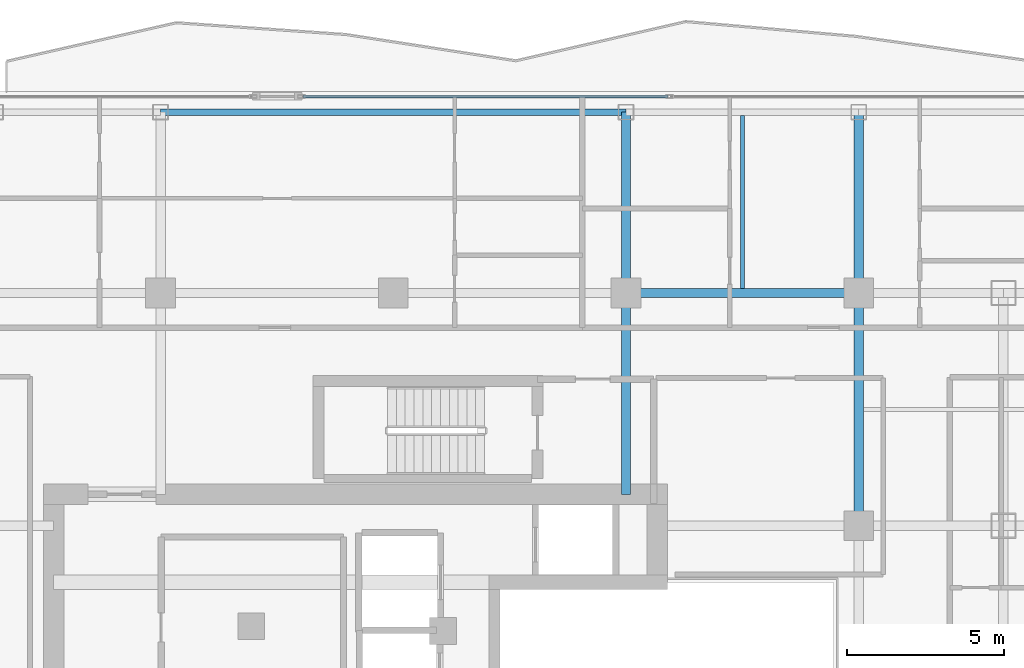
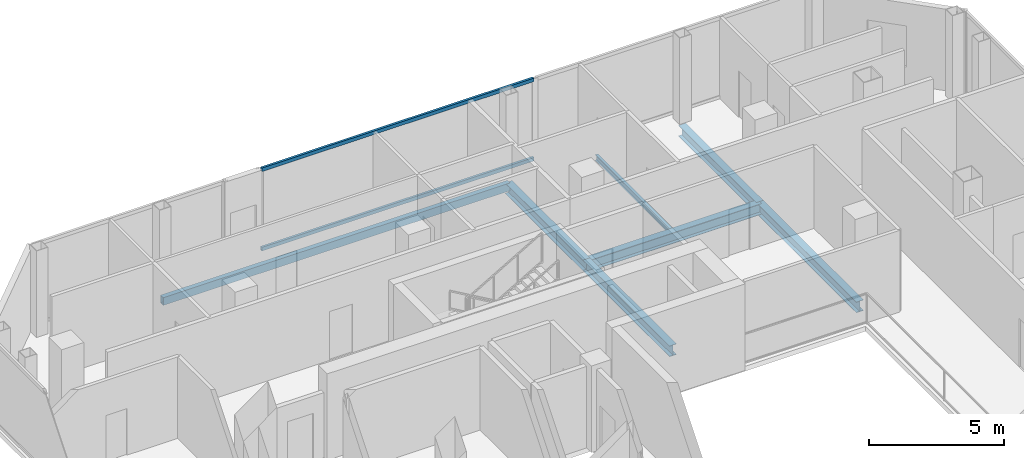
# One storey, part 12 of 22: 7 beams, 2 members, 1 element without a shape of its own.
"""IFC4 building model written with IfcOpenShell, lengths in metres."""

from ifc_helpers import new_model, si_unit, direction, frame, origin, origin_2d, place, context, subcontext, project, spatial, hollow_rectangle, i_section, extrude, material, layer, layer_set, material_profile, profile_set, type_object, element, aggregate, save


model = new_model("IFC4")

# Units and contexts
model_context = context("Model", 3, precision=1e-05, world=origin(), true_north=direction((0.0, 1.0)))
body_context = subcontext(model_context, "Body", "Model", "MODEL_VIEW")
ifc_project = project(units=[si_unit("LENGTHUNIT", "METRE"), si_unit("AREAUNIT", "SQUARE_METRE"), si_unit("VOLUMEUNIT", "CUBIC_METRE"), si_unit("PLANEANGLEUNIT", "RADIAN"), si_unit("MASSUNIT", "GRAM", prefix="KILO")], contexts=[model_context])

# Site, building, storey
site_placement = place(None, origin())
site = spatial("IfcSite", under=ifc_project, at=site_placement, CompositionType="ELEMENT")
building_placement = place(site_placement, origin())
building = spatial("IfcBuilding", under=site, at=building_placement, Name="Khorvyn Point Tower", CompositionType="ELEMENT")
storey_placement = place(building_placement, frame((0.0, 0.0, 278.10009765625)))
storey = spatial("IfcBuildingStorey", under=building, at=storey_placement, Name="L68", CompositionType="ELEMENT", Elevation=278.10009765625)

# Curtain wall, members
ifc_material_1 = material(Name="Anodised aluminium 6063-T6 and laminated Low-E glass", Category="aluminium")
ifc_layer = layer(ifc_material_1, 0.18994140625)
ifc_layer_set = layer_set([ifc_layer], Name="Stick-Built High-Wind Curtain Wall CW-SYS-04")
curtain_wall_type = type_object("IfcCurtainWallType", Name="Stick-Built High-Wind Curtain Wall CW-SYS-04", PredefinedType="NOTDEFINED", material=ifc_layer_set)
curtain_wall_placement = place(storey_placement, origin())
curtain_wall = element("IfcCurtainWall", 1, at=curtain_wall_placement, inside=storey, type_object=curtain_wall_type, Name="Curtain Wall", PredefinedType="NOTDEFINED")
ifc_material_2 = material(Name="Anodised aluminium 6063-T6", Category="aluminium")
ifc_material_profile_1 = material_profile(ifc_material_2, hollow_rectangle(XDim=0.10009765625, YDim=0.159912109375, WallThickness=0.00439453125, at=origin_2d()))
ifc_profile_set_1 = profile_set([ifc_material_profile_1], Name="Anodised aluminium 6063-T6 ALU-TRN-100x160")
member_type = type_object("IfcMemberType", Name="Anodised Aluminium 6063-T6 Transom ALU-TRN-100x160", PredefinedType="USERDEFINED", material=ifc_profile_set_1)
member_1_placement = place(storey_placement, frame((-2.873046875, 21.050048828125, 0.0498046875), z_axis=(1.0, 0.0, 0.0), x_axis=(0.0, 1.0, 0.0)))
member_1 = element("IfcMember", 2, at=member_1_placement, type_object=member_type, Name="Transom", ObjectType="TRANSOM", PredefinedType="USERDEFINED", context=body_context, shape_type="SweptSolid", body=[
    extrude(hollow_rectangle(XDim=0.10009765625, YDim=0.159912109375, WallThickness=0.00439453125, at=origin_2d()), origin(), (0.0, 0.0, 1.0), 11.611572265625),
])
member_2_placement = place(storey_placement, frame((-2.873046875, 21.050048828125, 3.6298828125), z_axis=(1.0, 0.0, 0.0), x_axis=(0.0, 1.0, 0.0)))
member_2 = element("IfcMember", 3, at=member_2_placement, type_object=member_type, Name="Transom", ObjectType="TRANSOM", PredefinedType="USERDEFINED", context=body_context, shape_type="SweptSolid", body=[
    extrude(hollow_rectangle(XDim=0.10009765625, YDim=0.159912109375, WallThickness=0.00439453125, at=origin_2d()), origin(), (0.0, 0.0, 1.0), 11.611572265625),
])
aggregate(curtain_wall, [member_1, member_2])

# Beams
ifc_material_3 = material(Name="Steel S355", Category="steel")
ifc_material_profile_2 = material_profile(ifc_material_3, i_section(OverallWidth=0.125, OverallDepth=0.25, WebThickness=0.006103515625, FlangeThickness=0.009033203125, at=origin_2d()))
ifc_profile_set_2 = profile_set([ifc_material_profile_2], Name="Steel S355 H250x125x6x9")
beam_type_1 = type_object("IfcBeamType", Name="Steel S355 Joist H250x125x6x9", PredefinedType="JOIST", material=ifc_profile_set_2)
beam_1_placement = place(storey_placement, frame((11.10009765625, 14.949951171875, -0.34521484375), z_axis=(0.0, 1.0, 0.0), x_axis=(-1.0, 0.0, 0.0)))
element("IfcBeam", 4, at=beam_1_placement, inside=storey, type_object=beam_type_1, Name="Beam", PredefinedType="JOIST", context=body_context, shape_type="SweptSolid", body=[
    extrude(i_section(OverallWidth=0.125, OverallDepth=0.25, WebThickness=0.006103515625, FlangeThickness=0.009033203125, at=origin_2d()), origin(), (0.0, 0.0, 1.0), 5.5),
])
ifc_material_profile_3 = material_profile(ifc_material_3, i_section(OverallWidth=0.300048828125, OverallDepth=0.488037109375, WebThickness=0.010986328125, FlangeThickness=0.01806640625, at=origin_2d()))
ifc_profile_set_3 = profile_set([ifc_material_profile_3], Name="Steel S355 H488x300x11x18")
beam_type_2 = type_object("IfcBeamType", Name="Steel S355 Spandrel H488x300x11x18", PredefinedType="SPANDREL", material=ifc_profile_set_3)
for number, where, z_axis, x_axis, name in (
    (5, (7.39990234375, 14.800048828125, -0.464111328125), (1.0, 0.0, 0.0), (0.0, 1.0, 0.0), "Beam"),
    (6, (14.800048828125, 7.39990234375, -0.464111328125), (0.0, 1.0, 0.0), (-1.0, 0.0, 0.0), "Beam"),
):
    element("IfcBeam", number, at=place(storey_placement, frame(where, z_axis=z_axis, x_axis=x_axis)), inside=storey, type_object=beam_type_2, Name=name, PredefinedType="SPANDREL", context=body_context, shape_type="SweptSolid", body=[
        extrude(i_section(OverallWidth=0.300048828125, OverallDepth=0.488037109375, WebThickness=0.010986328125, FlangeThickness=0.01806640625, at=origin_2d()), origin(), (0.0, 0.0, 1.0), 7.400146484375),
    ])
beam_2_placement = place(storey_placement, frame((14.800048828125, 14.800048828125, -0.464111328125), z_axis=(0.0, 1.0, 0.0), x_axis=(-1.0, 0.0, 0.0)))
element("IfcBeam", 7, at=beam_2_placement, inside=storey, type_object=beam_type_2, Name="Beam", PredefinedType="SPANDREL", context=body_context, shape_type="SweptSolid", body=[
    extrude(i_section(OverallWidth=0.300048828125, OverallDepth=0.488037109375, WebThickness=0.010986328125, FlangeThickness=0.01806640625, at=origin_2d()), origin(), (0.0, 0.0, 1.0), 5.75),
])
beam_3_placement = place(storey_placement, frame((7.39990234375, 8.39990234375, -0.464111328125), z_axis=(0.0, 1.0, 0.0), x_axis=(-1.0, 0.0, 0.0)))
element("IfcBeam", 8, at=beam_3_placement, inside=storey, type_object=beam_type_2, Name="Beam", PredefinedType="SPANDREL", context=body_context, shape_type="SweptSolid", body=[
    extrude(i_section(OverallWidth=0.300048828125, OverallDepth=0.488037109375, WebThickness=0.010986328125, FlangeThickness=0.01806640625, at=origin_2d()), origin(), (0.0, 0.0, 1.0), 6.400146484375),
])
beam_4_placement = place(storey_placement, frame((7.39990234375, 14.800048828125, -0.464111328125), z_axis=(0.0, 1.0, 0.0), x_axis=(-1.0, 0.0, 0.0)))
element("IfcBeam", 9, at=beam_4_placement, inside=storey, type_object=beam_type_2, Name="Beam", PredefinedType="SPANDREL", context=body_context, shape_type="SweptSolid", body=[
    extrude(i_section(OverallWidth=0.300048828125, OverallDepth=0.488037109375, WebThickness=0.010986328125, FlangeThickness=0.01806640625, at=origin_2d()), origin(), (0.0, 0.0, 1.0), 5.75),
])
ifc_material_profile_4 = material_profile(ifc_material_3, hollow_rectangle(XDim=0.199951171875, YDim=0.35009765625, WallThickness=0.013916015625, at=origin_2d()))
ifc_profile_set_4 = profile_set([ifc_material_profile_4], Name="Steel S355 RHS350x200x14")
beam_type_3 = type_object("IfcBeamType", Name="Steel S355 Spandrel RHS350x200x14", PredefinedType="SPANDREL", material=ifc_profile_set_4)
beam_5_placement = place(storey_placement, frame((-7.39990234375, 20.550048828125, -0.39501953125), z_axis=(1.0, 0.0, 0.0), x_axis=(0.0, 1.0, 0.0)))
element("IfcBeam", 10, at=beam_5_placement, inside=storey, type_object=beam_type_3, Name="Beam", PredefinedType="SPANDREL", context=body_context, shape_type="SweptSolid", body=[
    extrude(hollow_rectangle(XDim=0.199951171875, YDim=0.35009765625, WallThickness=0.013916015625, at=origin_2d()), origin(), (0.0, 0.0, 1.0), 14.7998046875),
])

save(model, "model.ifc")
